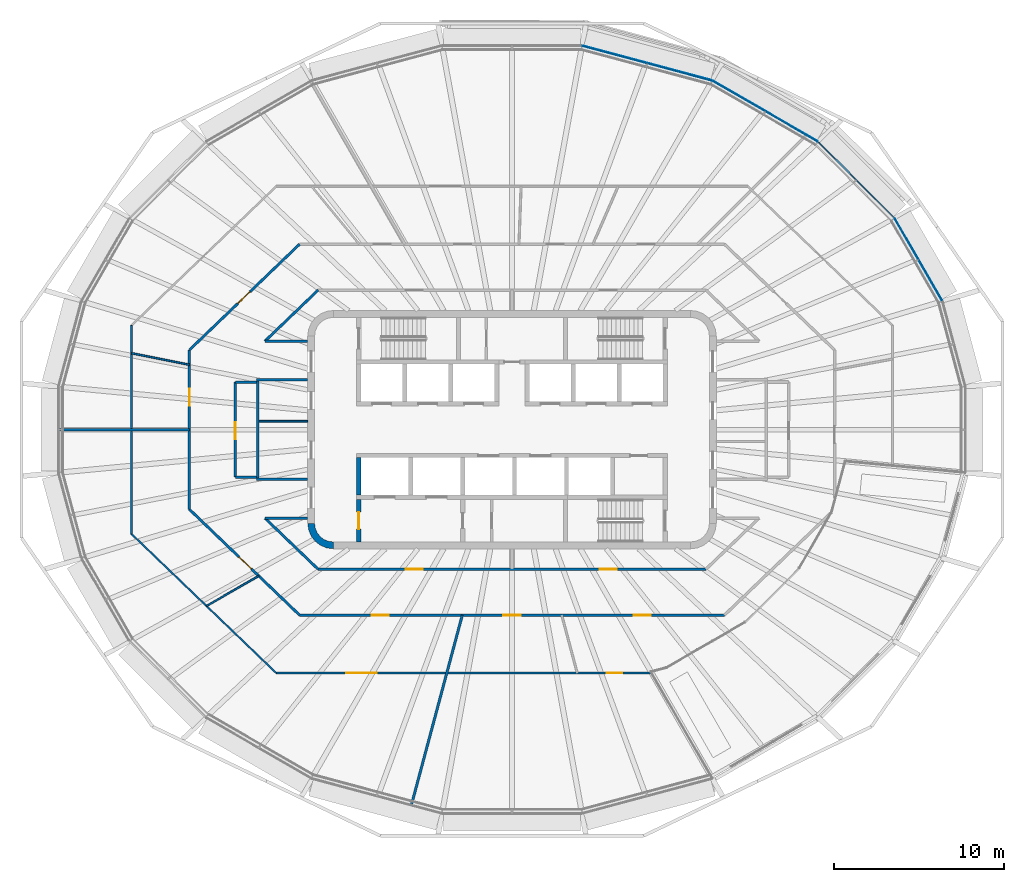
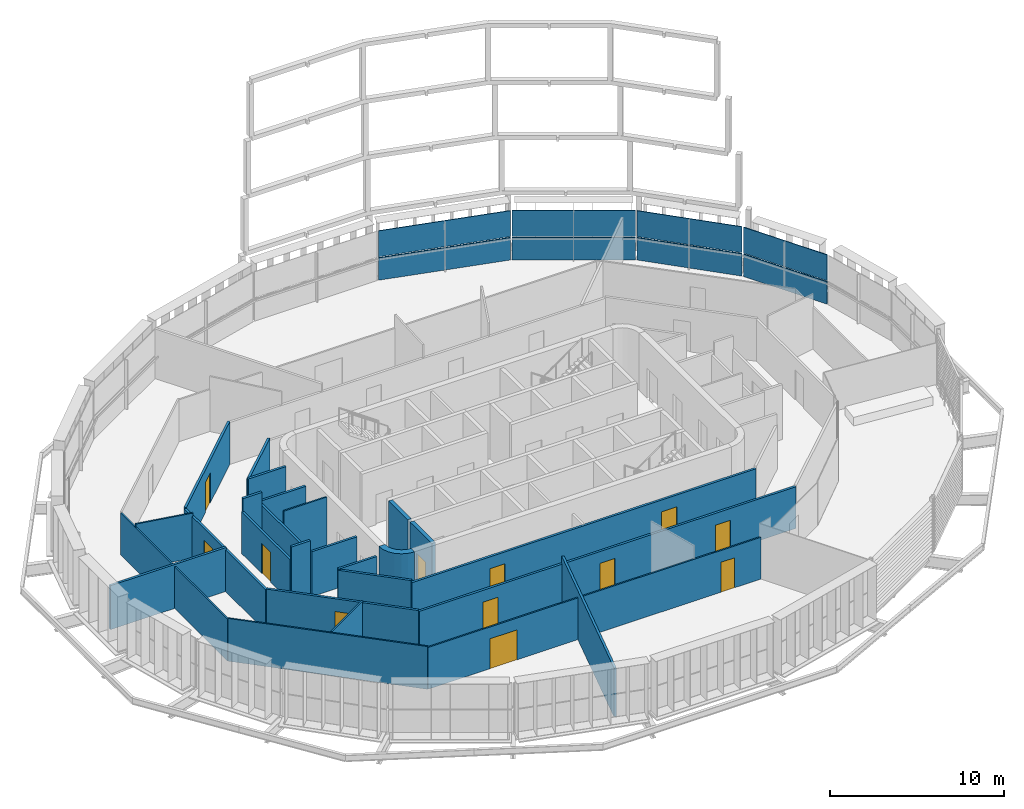
# One storey, part 10 of 21: 26 walls, 12 doors, 8 plates, 12 openings, 4 elements without a shape of their own.
"""IFC4 building model written with IfcOpenShell, lengths in metres."""

import ifcopenshell
import ifcopenshell.guid

model = None  # the IFC model being written
_history = None  # IfcOwnerHistory: only IFC2X3 demands one
_inside = {}  # id of a spatial element -> (the spatial element, [elements in it])
_under = {}  # id of a project, library or spatial element -> (it, [spatial elements below it])
_declared = {}  # id of a project -> (the project, [libraries it declares])
_typed = {}  # id of a type object -> (the type object, [elements of that type])
_made_of = {}  # id of a material, layer set ... -> (it, [elements and type objects made of it])


def new_model(schema):
    """Start an empty IFC model of exactly this schema.

    Asked for "IFC4X3", IfcOpenShell would pick the latest addendum, in which some entities
    have other attributes; the version numbers below select the first issue.
    IFC2X3 requires an IfcOwnerHistory on every rooted entity: one is made here for all.
    """
    global model, _history
    if schema == "IFC4X3":
        model = ifcopenshell.file(schema_version=(4, 3, 0, 0))
    else:
        model = ifcopenshell.file(schema=schema)
    _inside.clear()
    _under.clear()
    _declared.clear()
    _typed.clear()
    _made_of.clear()
    _history = None
    if model.schema == "IFC2X3":
        org = make("IfcOrganization", Name="unknown")
        user = make(
            "IfcPersonAndOrganization",
            ThePerson=make("IfcPerson", FamilyName="unknown"),
            TheOrganization=org,
        )
        app = make(
            "IfcApplication",
            ApplicationDeveloper=org,
            Version="unknown",
            ApplicationFullName="unknown",
            ApplicationIdentifier="unknown",
        )
        _history = make(
            "IfcOwnerHistory",
            OwningUser=user,
            OwningApplication=app,
            ChangeAction="ADDED",
            CreationDate=0,
        )
    return model


def make(cls, **values):
    """One entity of the class cls with the attributes given. An attribute that is None is left unset."""
    return model.create_entity(
        cls, **{name: value for name, value in values.items() if value is not None}
    )


def rooted(cls, **values):
    """An entity with a GlobalId (a new one), such as an element, a storey or a relation."""
    return make(cls, GlobalId=ifcopenshell.guid.new(), OwnerHistory=_history, **values)


def si_unit(unit_type, name, prefix=None):
    """IfcSIUnit, for example si_unit("LENGTHUNIT", "METRE", prefix="MILLI")."""
    return make("IfcSIUnit", UnitType=unit_type, Prefix=prefix, Name=name)


def assignment(units):
    """IfcUnitAssignment: the units of a project."""
    return None if units is None else make("IfcUnitAssignment", Units=units)


def point(xyz):
    """IfcCartesianPoint."""
    return None if xyz is None else make("IfcCartesianPoint", Coordinates=xyz)


def direction(xyz):
    """IfcDirection."""
    return None if xyz is None else make("IfcDirection", DirectionRatios=xyz)


def frame(location, z_axis=None, x_axis=None):
    """IfcAxis2Placement3D, a coordinate frame: its origin and axes. An axis left out is left unset."""
    return make(
        "IfcAxis2Placement3D",
        Location=point(location),
        Axis=direction(z_axis),
        RefDirection=direction(x_axis),
    )


def frame_2d(location, x_axis=None):
    """IfcAxis2Placement2D, a coordinate frame in the plane: its origin and x axis."""
    return make(
        "IfcAxis2Placement2D", Location=point(location), RefDirection=direction(x_axis)
    )


def origin():
    """The frame at (0, 0, 0) with its axes left unset."""
    return frame((0.0, 0.0, 0.0))


def place(relative_to, where):
    """IfcLocalPlacement: puts the frame where relative to a parent placement (None: the world)."""
    return make(
        "IfcLocalPlacement", PlacementRelTo=relative_to, RelativePlacement=where
    )


def context(
    kind, dimensions, precision=None, world=None, true_north=None, identifier=None
):
    """IfcGeometricRepresentationContext, for example the 3D "Model" context."""
    return make(
        "IfcGeometricRepresentationContext",
        ContextIdentifier=identifier,
        ContextType=kind,
        CoordinateSpaceDimension=dimensions,
        Precision=precision,
        WorldCoordinateSystem=world,
        TrueNorth=true_north,
    )


def subcontext(parent, identifier, kind, view, scale=None):
    """IfcGeometricRepresentationSubContext, for example "Body" below "Model"."""
    return make(
        "IfcGeometricRepresentationSubContext",
        ContextIdentifier=identifier,
        ContextType=kind,
        ParentContext=parent,
        TargetScale=scale,
        TargetView=view,
    )


def project(units=None, contexts=None):
    """IfcProject with its units and contexts."""
    return rooted(
        "IfcProject",
        Name="project",
        RepresentationContexts=contexts,
        UnitsInContext=assignment(units),
    )


def spatial(cls, under=None, at=None, **own):
    """A site, building, storey or space (cls), placed at a placement, below another one or the project."""
    s = rooted(cls, ObjectPlacement=at, **own)
    if under is not None:
        _under.setdefault(under.id(), (under, []))[1].append(s)
    return s


def polyline(points):
    """IfcPolyline through the points."""
    return make("IfcPolyline", Points=[point(p) for p in points])


def profile(cls, at=None, kind="AREA", **sizes):
    """A parametric profile (cls). Its sizes go by their IFC names, for example OverallWidth=200.0."""
    return make(cls, ProfileType=kind, Position=at, **sizes)


def rectangle(**sizes):
    """IfcRectangleProfileDef."""
    return profile("IfcRectangleProfileDef", **sizes)


def outline(outer, holes=None, kind="AREA"):
    """IfcArbitraryClosedProfileDef: a profile drawn as a closed curve; with holes, ...WithVoids."""
    if holes is None:
        return make("IfcArbitraryClosedProfileDef", ProfileType=kind, OuterCurve=outer)
    return make(
        "IfcArbitraryProfileDefWithVoids",
        ProfileType=kind,
        OuterCurve=outer,
        InnerCurves=holes,
    )


def extrude(swept, where, along, depth):
    """IfcExtrudedAreaSolid: the profile swept, set in the frame where, extruded along a direction by depth."""
    return make(
        "IfcExtrudedAreaSolid",
        SweptArea=swept,
        Position=where,
        ExtrudedDirection=direction(along),
        Depth=depth,
    )


def shape(context_of_items, identifier, shape_type, items):
    """IfcShapeRepresentation: the items that make up one representation, for example the "Body"."""
    return make(
        "IfcShapeRepresentation",
        ContextOfItems=context_of_items,
        RepresentationIdentifier=identifier,
        RepresentationType=shape_type,
        Items=items,
    )


def material(Name=None, Category=None):
    """IfcMaterial."""
    return make("IfcMaterial", Name=Name, Category=Category)


def layer(
    of_material, thickness, ventilated=None, Name=None, Category=None, Priority=None
):
    """IfcMaterialLayer: one layer of a wall or slab, of a material (None: an air gap)."""
    return make(
        "IfcMaterialLayer",
        Material=of_material,
        LayerThickness=thickness,
        IsVentilated=ventilated,
        Name=Name,
        Category=Category,
        Priority=Priority,
    )


def layer_set(layers, Name=None):
    """IfcMaterialLayerSet."""
    return make("IfcMaterialLayerSet", MaterialLayers=layers, LayerSetName=Name)


def made_of(thing, what):
    """Note that an element or type object is made of a material, layer set ...; save() writes the relation."""
    if what is not None:
        _made_of.setdefault(what.id(), (what, []))[1].append(thing)
    return thing


def type_object(cls, material=None, **own):
    """A type object (cls), such as IfcWallType, which elements share."""
    return made_of(rooted(cls, **own), material)


def element(
    cls,
    number,
    at=None,
    inside=None,
    cuts=None,
    type_object=None,
    material=None,
    context=None,
    identifier="Body",
    shape_type=None,
    held_by="IfcProductDefinitionShape",
    body=None,
    shapes=None,
    **own,
):
    """One element of the class cls, such as IfcWall. Its Tag is "e" and its number.

    at: its placement. inside: the storey or other place that contains it. cuts: it is an
    opening in that element (IfcRelVoidsElement). A single representation is given by context,
    identifier, shape_type and body (its items); several are given by shapes. held_by: the class
    of the entity that holds the representations. save() writes the other relations.
    """
    e = rooted(cls, Tag="e%d" % number, ObjectPlacement=at, **own)
    if body is not None:
        shapes = [shape(context, identifier, shape_type, body)]
    if shapes is not None:
        e.Representation = make(held_by, Representations=shapes)
    if inside is not None:
        _inside.setdefault(inside.id(), (inside, []))[1].append(e)
    if cuts is not None:
        rooted(
            "IfcRelVoidsElement", RelatingBuildingElement=cuts, RelatedOpeningElement=e
        )
    if type_object is not None:
        _typed.setdefault(type_object.id(), (type_object, []))[1].append(e)
    return made_of(e, material)


def fill(opening, filler):
    """IfcRelFillsElement: the door or window that sits in an opening."""
    return rooted(
        "IfcRelFillsElement",
        RelatingOpeningElement=opening,
        RelatedBuildingElement=filler,
    )


def aggregate(whole, parts):
    """IfcRelAggregates: a whole, such as a stair, and the parts it consists of."""
    return rooted("IfcRelAggregates", RelatingObject=whole, RelatedObjects=parts)


def save(model, path):
    """Write the relations noted so far, then the file.

    IfcRelAggregates (storeys below a building ...), IfcRelContainedInSpatialStructure (elements
    in a storey), IfcRelDefinesByType, IfcRelAssociatesMaterial and IfcRelDeclares: one each for
    every whole, place, type object, material and project.
    """
    for whole, parts in _under.values():
        aggregate(whole, parts)
    for where, things in _inside.values():
        rooted(
            "IfcRelContainedInSpatialStructure",
            RelatedElements=things,
            RelatingStructure=where,
        )
    for kind, things in _typed.values():
        rooted("IfcRelDefinesByType", RelatedObjects=things, RelatingType=kind)
    for what, things in _made_of.values():
        rooted("IfcRelAssociatesMaterial", RelatedObjects=things, RelatingMaterial=what)
    for by, libraries in _declared.values():
        rooted("IfcRelDeclares", RelatingContext=by, RelatedDefinitions=libraries)
    model.write(path)


model = new_model("IFC4")

# Units and contexts
model_context = context("Model", 3, precision=1e-05, world=origin(), true_north=direction((0.0, 1.0)))
body_context = subcontext(model_context, "Body", "Model", "MODEL_VIEW")
ifc_project = project(units=[si_unit("LENGTHUNIT", "METRE"), si_unit("AREAUNIT", "SQUARE_METRE"), si_unit("VOLUMEUNIT", "CUBIC_METRE"), si_unit("PLANEANGLEUNIT", "RADIAN"), si_unit("MASSUNIT", "GRAM", prefix="KILO")], contexts=[model_context])

# Site, building, storey
site_placement = place(None, origin())
site = spatial("IfcSite", under=ifc_project, at=site_placement, CompositionType="ELEMENT")
building_placement = place(site_placement, origin())
building = spatial("IfcBuilding", under=site, at=building_placement, Name="Sahrelin Media Tower", CompositionType="ELEMENT")
storey_placement = place(building_placement, frame((0.0, 0.0, 304.39990234375)))
storey = spatial("IfcBuildingStorey", under=building, at=storey_placement, Name="L67", CompositionType="ELEMENT", Elevation=304.39990234375)

# Curtain wall, plate
ifc_material_1 = material(Name="Champagne anodised aluminium 6063-T6", Category="aluminium")
ifc_layer_1 = layer(ifc_material_1, 0.14990234375)
ifc_layer_set_1 = layer_set([ifc_layer_1], Name="Tower ribbon curtain wall")
curtain_wall_type = type_object("IfcCurtainWallType", Name="Tower ribbon curtain wall", PredefinedType="NOTDEFINED", material=ifc_layer_set_1)
curtain_wall_1_placement = place(storey_placement, frame((23.88818359375, 9.992431640625, 0.0), z_axis=(0.0, 0.0, 1.0), x_axis=(1.0, 0.0, 0.0)))
curtain_wall_1 = element("IfcCurtainWall", 1, at=curtain_wall_1_placement, inside=storey, type_object=curtain_wall_type, Name="L67:CW:L67-02", PredefinedType="NOTDEFINED")
ifc_material_2 = material(Name="Clear low-iron glazing", Category="glass")
ifc_layer_2 = layer(ifc_material_2, 0.048095703125)
ifc_layer_set_2 = layer_set([ifc_layer_2], Name="Glazing panel 48 mm CW1C")
plate_type_1 = type_object("IfcPlateType", Name="Glazing panel 48 mm CW1C", PredefinedType="CURTAIN_PANEL", material=ifc_layer_set_2)
plate_1_placement = place(storey_placement, frame((25.289794921875, 7.6044921875, 1.630126953125), z_axis=(0.8660262826, 0.499998477844, 0.0), x_axis=(-0.499998477844, 0.8660262826, 0.0)))
plate_1 = element("IfcPlate", 2, at=plate_1_placement, type_object=plate_type_1, Name="L67:CWP2:L67-02", PredefinedType="CURTAIN_PANEL", context=body_context, shape_type="SweptSolid", body=[
    extrude(outline(polyline([(0.0, 0.0), (5.5380859375, 0.0), (5.5380859375, 1.818603515625), (0.0, 1.818603515625), (0.0, 0.0)])), origin(), (0.0, 0.0, -1.0), 0.048095703125),
])

curtain_wall_2_placement = place(storey_placement, frame((20.23779296875, 14.674560546875, 0.0), z_axis=(0.0, 0.0, 1.0), x_axis=(1.0, 0.0, 0.0)))
curtain_wall_2 = element("IfcCurtainWall", 3, at=curtain_wall_2_placement, inside=storey, type_object=curtain_wall_type, Name="L67:CW:L67-03", PredefinedType="NOTDEFINED")
plate_2_placement = place(storey_placement, frame((22.457275390625, 12.4833984375, 1.630126953125), z_axis=(0.707106781187, 0.707106781187, 0.0), x_axis=(-0.707106781187, 0.707106781187, 0.0)))
plate_2 = element("IfcPlate", 4, at=plate_2_placement, type_object=plate_type_1, Name="L67:CWP2:L67-03", PredefinedType="CURTAIN_PANEL", context=body_context, shape_type="SweptSolid", body=[
    extrude(outline(polyline([(0.0, 0.0), (6.238037109375, 0.0), (6.238037109375, 1.818603515625), (0.0, 1.818603515625), (0.0, 0.0)])), origin(), (0.0, 0.0, -1.0), 0.048095703125),
])

curtain_wall_3_placement = place(storey_placement, frame((14.885009765625, 18.712158203125, 0.0), z_axis=(0.0, 0.0, 1.0), x_axis=(1.0, 0.0, 0.0)))
curtain_wall_3 = element("IfcCurtainWall", 5, at=curtain_wall_3_placement, inside=storey, type_object=curtain_wall_type, Name="L67:CW:L67-04", PredefinedType="NOTDEFINED")
plate_3_placement = place(storey_placement, frame((17.963623046875, 16.957763671875, 1.630126953125), z_axis=(0.499988861911, 0.866031834267, 0.0), x_axis=(-0.866031834267, 0.499988861911, 0.0)))
plate_3 = element("IfcPlate", 6, at=plate_3_placement, type_object=plate_type_1, Name="L67:CWP2:L67-04", PredefinedType="CURTAIN_PANEL", context=body_context, shape_type="SweptSolid", body=[
    extrude(outline(polyline([(0.0, 0.0), (7.086669921875, 0.0), (7.086669921875, 1.818603515625), (0.0, 1.818603515625), (0.0, 0.0)])), origin(), (0.0, 0.0, -1.0), 0.048095703125),
])

curtain_wall_4_placement = place(storey_placement, frame((7.944091796875, 21.53466796875, 0.0), z_axis=(0.0, 0.0, 1.0), x_axis=(1.0, 0.0, 0.0)))
curtain_wall_4 = element("IfcCurtainWall", 7, at=curtain_wall_4_placement, inside=storey, type_object=curtain_wall_type, Name="L67:CW:L67-05", PredefinedType="NOTDEFINED")
plate_4_placement = place(storey_placement, frame((11.72998046875, 20.541015625, 1.630126953125), z_axis=(0.25882130345, 0.965925221164, 0.0), x_axis=(-0.965925221164, 0.25882130345, 0.0)))
plate_4 = element("IfcPlate", 8, at=plate_4_placement, type_object=plate_type_1, Name="L67:CWP2:L67-05", PredefinedType="CURTAIN_PANEL", context=body_context, shape_type="SweptSolid", body=[
    extrude(outline(polyline([(0.0, 0.0), (7.828369140625, 0.0), (7.828369140625, 1.818603515625), (0.0, 1.818603515625), (0.0, 0.0)])), origin(), (0.0, 0.0, -1.0), 0.048095703125),
])

# Plate
ifc_material_3 = material(Name="Insulated spandrel panel")
ifc_layer_3 = layer(ifc_material_3, 0.06005859375)
ifc_layer_set_3 = layer_set([ifc_layer_3], Name="Spandrel panel 60 mm CW1")
plate_type_2 = type_object("IfcPlateType", Name="Spandrel panel 60 mm CW1", PredefinedType="SHEET", material=ifc_layer_set_3)
plate_5_placement = place(storey_placement, frame((25.289794921875, 7.6044921875, 0.0), z_axis=(0.8660262826, 0.499998477844, 0.0), x_axis=(-0.499998477844, 0.8660262826, 0.0)))
plate_5 = element("IfcPlate", 9, at=plate_5_placement, type_object=plate_type_2, Name="L67:CWP1:L67-02", PredefinedType="SHEET", context=body_context, shape_type="SweptSolid", body=[
    extrude(outline(polyline([(0.0, 0.0), (5.5380859375, 0.0), (5.5380859375, 1.570068359375), (0.0, 1.570068359375), (0.0, 0.0)])), origin(), (0.0, 0.0, -1.0), 0.06005859375),
])

aggregate(curtain_wall_1, [plate_5, plate_1])

plate_6_placement = place(storey_placement, frame((22.457275390625, 12.4833984375, 0.0), z_axis=(0.707106781187, 0.707106781187, 0.0), x_axis=(-0.707106781187, 0.707106781187, 0.0)))
plate_6 = element("IfcPlate", 10, at=plate_6_placement, type_object=plate_type_2, Name="L67:CWP1:L67-03", PredefinedType="SHEET", context=body_context, shape_type="SweptSolid", body=[
    extrude(outline(polyline([(0.0, 0.0), (6.238037109375, 0.0), (6.238037109375, 1.570068359375), (0.0, 1.570068359375), (0.0, 0.0)])), origin(), (0.0, 0.0, -1.0), 0.06005859375),
])

aggregate(curtain_wall_2, [plate_6, plate_2])

plate_7_placement = place(storey_placement, frame((17.963623046875, 16.957763671875, 0.0), z_axis=(0.499988861911, 0.866031834267, 0.0), x_axis=(-0.866031834267, 0.499988861911, 0.0)))
plate_7 = element("IfcPlate", 11, at=plate_7_placement, type_object=plate_type_2, Name="L67:CWP1:L67-04", PredefinedType="SHEET", context=body_context, shape_type="SweptSolid", body=[
    extrude(outline(polyline([(0.0, 0.0), (7.086669921875, 0.0), (7.086669921875, 1.570068359375), (0.0, 1.570068359375), (0.0, 0.0)])), origin(), (0.0, 0.0, -1.0), 0.06005859375),
])

aggregate(curtain_wall_3, [plate_7, plate_3])

plate_8_placement = place(storey_placement, frame((11.72998046875, 20.541015625, 0.0), z_axis=(0.25882130345, 0.965925221164, 0.0), x_axis=(-0.965925221164, 0.25882130345, 0.0)))
plate_8 = element("IfcPlate", 12, at=plate_8_placement, type_object=plate_type_2, Name="L67:CWP1:L67-05", PredefinedType="SHEET", context=body_context, shape_type="SweptSolid", body=[
    extrude(outline(polyline([(0.0, 0.0), (7.828369140625, 0.0), (7.828369140625, 1.570068359375), (0.0, 1.570068359375), (0.0, 0.0)])), origin(), (0.0, 0.0, -1.0), 0.06005859375),
])

aggregate(curtain_wall_4, [plate_8, plate_4])

# Walls
ifc_material_4 = material(Name="Concrete C60/75", Category="concrete")
ifc_layer_4 = layer(ifc_material_4, 0.39990234375)
ifc_layer_set_4 = layer_set([ifc_layer_4], Name="Core wall 400")
wall_type_1 = type_object("IfcWallType", Name="Core wall 400", PredefinedType="SHEAR", material=ifc_layer_set_4)
wall_1_placement = place(storey_placement, origin())
element("IfcWall", 13, at=wall_1_placement, inside=storey, type_object=wall_type_1, Name="Core wall corner SW L67", PredefinedType="SHEAR", context=body_context, shape_type="SweptSolid", body=[
    extrude(outline(polyline([(-10.5, -7.0), (-10.5, -6.596435546875), (-10.78369140625, -6.55908203125), (-11.04833984375, -6.44970703125), (-11.275390625, -6.275390625), (-11.44970703125, -6.04833984375), (-11.55908203125, -5.78369140625), (-11.596435546875, -5.5), (-12.0, -5.5), (-11.948974609375, -5.88818359375), (-11.799072265625, -6.25), (-11.560791015625, -6.560791015625), (-11.25, -6.799072265625), (-10.88818359375, -6.948974609375), (-10.5, -7.0)])), origin(), (0.0, 0.0, 1.0), 4.0),
])
ifc_material_5 = material(Name="Fire-rated gypsum board partition")
ifc_layer_5 = layer(ifc_material_5, 0.10009765625)
ifc_layer_set_5 = layer_set([ifc_layer_5], Name="Fire-rated partition 100")
wall_type_2 = type_object("IfcWallType", Name="Fire-rated partition 100", PredefinedType="PARTITIONING", material=ifc_layer_set_5)
wall_2_placement = place(storey_placement, frame((-14.85009765625, 0.5, 0.0), z_axis=(0.0, 0.0, 1.0), x_axis=(1.0, 0.0, 0.0)))
element("IfcWall", 14, at=wall_2_placement, inside=storey, type_object=wall_type_2, Name="Core room partition", PredefinedType="PARTITIONING", context=body_context, shape_type="SweptSolid", body=[
    extrude(rectangle(XDim=2.85009765625, YDim=0.10009765625, at=frame_2d((1.425048828125, 0.0))), origin(), (0.0, 0.0, 1.0), 3.85009765625),
])
ifc_layer_6 = layer(ifc_material_5, 0.14990234375)
ifc_layer_set_6 = layer_set([ifc_layer_6], Name="Fire-rated partition 150")
wall_type_3 = type_object("IfcWallType", Name="Fire-rated partition 150", PredefinedType="PARTITIONING", material=ifc_layer_set_6)
wall_3_placement = place(storey_placement, frame((-14.925048828125, -2.85009765625, 0.0), z_axis=(0.0, 0.0, 1.0), x_axis=(0.0, 1.0, 0.0)))
element("IfcWall", 15, at=wall_3_placement, inside=storey, type_object=wall_type_3, Name="Core room fire partition", PredefinedType="PARTITIONING", context=body_context, shape_type="SweptSolid", body=[
    extrude(rectangle(XDim=5.7001953125, YDim=0.14990234375, at=frame_2d((2.85009765625, 0.0))), origin(), (0.0, 0.0, 1.0), 2.927001953125),
])
for number, where, z_axis, x_axis, name in (
    (16, (-15.0, 2.925048828125, 0.0), (0.0, 0.0, 1.0), (1.0, 0.0, 0.0), "Core room fire partition"),
    (17, (-15.0, -2.925048828125, 0.0), (0.0, 0.0, 1.0), (1.0, 0.0, 0.0), "Core room fire partition"),
):
    element("IfcWall", number, at=place(storey_placement, frame(where, z_axis=z_axis, x_axis=x_axis)), inside=storey, type_object=wall_type_3, Name=name, PredefinedType="PARTITIONING", context=body_context, shape_type="SweptSolid", body=[
        extrude(rectangle(XDim=3.0, YDim=0.14990234375, at=frame_2d((1.5, 0.0))), origin(), (0.0, 0.0, 1.0), 3.152099609375),
    ])

# Wall, opening, door
wall_4_placement = place(storey_placement, frame((-18.949951171875, -4.68310546875, 0.0), z_axis=(0.0, 0.0, 1.0), x_axis=(0.72127259513, -0.692651314526, 0.0)))
wall_4 = element("IfcWall", 18, at=wall_4_placement, inside=storey, type_object=wall_type_3, Name="Wall", PredefinedType="PARTITIONING", context=body_context, shape_type="SweptSolid", body=[
    extrude(rectangle(XDim=8.9736328125, YDim=0.14990234375, at=frame_2d((4.48681640625, 0.0))), origin(), (0.0, 0.0, 1.0), 2.995361328125),
])
opening_1_placement = place(wall_4_placement, frame((4.039306640625, 0.0, 0.0)))
opening_1 = element("IfcOpeningElement", 19, at=opening_1_placement, cuts=wall_4, Name="Opening L67-D32", PredefinedType="OPENING", context=body_context, shape_type="SweptSolid", body=[
    extrude(rectangle(XDim=1.0, YDim=2.10009765625, at=frame_2d((0.5, 1.050048828125))), frame((0.0, 0.074951171875, 0.0), z_axis=(0.0, -1.0, 0.0), x_axis=(1.0, 0.0, 0.0)), (0.0, 0.0, 1.0), 0.14990234375),
])
ifc_material_6 = material(Name="Steel fire door leaf", Category="steel")
door_type_1 = type_object("IfcDoorType", Name="Fire door 1000 x 2100 EI 60", OperationType="NOTDEFINED", PredefinedType="DOOR", material=ifc_material_6)
door_1_placement = place(opening_1_placement, origin())
door_1 = element("IfcDoor", 20, at=door_1_placement, inside=storey, type_object=door_type_1, Name="Fire door", OperationType="SINGLE_SWING_RIGHT", OverallHeight=2.10009765625, OverallWidth=1.0, PredefinedType="DOOR", context=body_context, shape_type="SweptSolid", body=[
    extrude(rectangle(XDim=1.0, YDim=2.10009765625, at=frame_2d((0.5, 1.050048828125))), frame((0.0, 0.02490234375, 0.0), z_axis=(0.0, -1.0, 0.0), x_axis=(1.0, 0.0, 0.0)), (0.0, 0.0, 1.0), 0.050048828125),
])
fill(opening_1, door_1)

# Wall
wall_5_placement = place(storey_placement, frame((-14.513916015625, -5.199951171875, 0.0), z_axis=(0.0, 0.0, 1.0), x_axis=(0.721228427004, -0.692697304803, 0.0)))
element("IfcWall", 21, at=wall_5_placement, inside=storey, type_object=wall_type_3, Name="Wall", PredefinedType="PARTITIONING", context=body_context, shape_type="SweptSolid", body=[
    extrude(rectangle(XDim=4.329833984375, YDim=0.14990234375, at=frame_2d((2.1650390625, 0.0))), origin(), (0.0, 0.0, 1.0), 3.076171875),
])

# Wall, openings, doors
wall_6_placement = place(storey_placement, frame((-12.47802734375, -10.89892578125, 0.0), z_axis=(0.0, 0.0, 1.0), x_axis=(1.0, 0.0, 0.0)))
wall_6 = element("IfcWall", 22, at=wall_6_placement, inside=storey, type_object=wall_type_3, Name="Wall", PredefinedType="PARTITIONING", context=body_context, shape_type="SweptSolid", body=[
    extrude(rectangle(XDim=24.9560546875, YDim=0.14990234375, at=frame_2d((12.47802734375, 0.0))), origin(), (0.0, 0.0, 1.0), 2.927001953125),
])
opening_2_placement = place(wall_6_placement, frame((4.228515625, 0.0, 0.0)))
opening_2 = element("IfcOpeningElement", 23, at=opening_2_placement, cuts=wall_6, Name="Opening L67-D33", PredefinedType="OPENING", context=body_context, shape_type="SweptSolid", body=[
    extrude(rectangle(XDim=1.0, YDim=2.10009765625, at=frame_2d((0.5, 1.050048828125))), frame((0.0, 0.074951171875, 0.0), z_axis=(0.0, -1.0, 0.0), x_axis=(1.0, 0.0, 0.0)), (0.0, 0.0, 1.0), 0.14990234375),
])
opening_3_placement = place(wall_6_placement, frame((11.978515625, 0.0, 0.0)))
opening_3 = element("IfcOpeningElement", 24, at=opening_3_placement, cuts=wall_6, Name="Opening L67-D35", PredefinedType="OPENING", context=body_context, shape_type="SweptSolid", body=[
    extrude(rectangle(XDim=1.0, YDim=2.10009765625, at=frame_2d((0.5, 1.050048828125))), frame((0.0, 0.074951171875, 0.0), z_axis=(0.0, -1.0, 0.0), x_axis=(1.0, 0.0, 0.0)), (0.0, 0.0, 1.0), 0.14990234375),
])
opening_4_placement = place(wall_6_placement, frame((19.627197265625, 0.0, 0.0)))
opening_4 = element("IfcOpeningElement", 25, at=opening_4_placement, cuts=wall_6, Name="Opening L67-D36", PredefinedType="OPENING", context=body_context, shape_type="SweptSolid", body=[
    extrude(rectangle(XDim=1.0, YDim=2.10009765625, at=frame_2d((0.5, 1.050048828125))), frame((0.0, 0.074951171875, 0.0), z_axis=(0.0, -1.0, 0.0), x_axis=(1.0, 0.0, 0.0)), (0.0, 0.0, 1.0), 0.14990234375),
])
door_2_placement = place(opening_2_placement, origin())
door_2 = element("IfcDoor", 26, at=door_2_placement, inside=storey, type_object=door_type_1, Name="Fire door", OperationType="SINGLE_SWING_RIGHT", OverallHeight=2.10009765625, OverallWidth=1.0, PredefinedType="DOOR", context=body_context, shape_type="SweptSolid", body=[
    extrude(rectangle(XDim=1.0, YDim=2.10009765625, at=frame_2d((0.5, 1.050048828125))), frame((0.0, 0.02490234375, 0.0), z_axis=(0.0, -1.0, 0.0), x_axis=(1.0, 0.0, 0.0)), (0.0, 0.0, 1.0), 0.050048828125),
])
fill(opening_2, door_2)
door_3_placement = place(opening_3_placement, origin())
door_3 = element("IfcDoor", 27, at=door_3_placement, inside=storey, type_object=door_type_1, Name="Fire door", OperationType="SINGLE_SWING_LEFT", OverallHeight=2.10009765625, OverallWidth=1.0, PredefinedType="DOOR", context=body_context, shape_type="SweptSolid", body=[
    extrude(rectangle(XDim=1.0, YDim=2.10009765625, at=frame_2d((0.5, 1.050048828125))), frame((0.0, 0.02490234375, 0.0), z_axis=(0.0, -1.0, 0.0), x_axis=(1.0, 0.0, 0.0)), (0.0, 0.0, 1.0), 0.050048828125),
])
fill(opening_3, door_3)
door_4_placement = place(opening_4_placement, origin())
door_4 = element("IfcDoor", 28, at=door_4_placement, inside=storey, type_object=door_type_1, Name="Fire door", OperationType="SINGLE_SWING_LEFT", OverallHeight=2.10009765625, OverallWidth=1.0, PredefinedType="DOOR", context=body_context, shape_type="SweptSolid", body=[
    extrude(rectangle(XDim=1.0, YDim=2.10009765625, at=frame_2d((0.5, 1.050048828125))), frame((0.0, 0.02490234375, 0.0), z_axis=(0.0, -1.0, 0.0), x_axis=(1.0, 0.0, 0.0)), (0.0, 0.0, 1.0), 0.050048828125),
])
fill(opening_4, door_4)

wall_7_placement = place(storey_placement, frame((-11.39111328125, -8.198974609375, 0.0), z_axis=(0.0, 0.0, 1.0), x_axis=(1.0, 0.0, 0.0)))
wall_7 = element("IfcWall", 29, at=wall_7_placement, inside=storey, type_object=wall_type_3, Name="Wall", PredefinedType="PARTITIONING", context=body_context, shape_type="SweptSolid", body=[
    extrude(rectangle(XDim=22.7822265625, YDim=0.14990234375, at=frame_2d((11.39111328125, 0.0))), origin(), (0.0, 0.0, 1.0), 2.927001953125),
])
opening_5_placement = place(wall_7_placement, frame((5.14501953125, 0.0, 0.0)))
opening_5 = element("IfcOpeningElement", 30, at=opening_5_placement, cuts=wall_7, Name="Opening L67-D18", PredefinedType="OPENING", context=body_context, shape_type="SweptSolid", body=[
    extrude(rectangle(XDim=1.0, YDim=2.10009765625, at=frame_2d((0.5, 1.050048828125))), frame((0.0, 0.074951171875, 0.0), z_axis=(0.0, -1.0, 0.0), x_axis=(1.0, 0.0, 0.0)), (0.0, 0.0, 1.0), 0.14990234375),
])
opening_6_placement = place(wall_7_placement, frame((16.535888671875, 0.0, 0.0)))
opening_6 = element("IfcOpeningElement", 31, at=opening_6_placement, cuts=wall_7, Name="Opening L67-D19", PredefinedType="OPENING", context=body_context, shape_type="SweptSolid", body=[
    extrude(rectangle(XDim=1.0, YDim=2.10009765625, at=frame_2d((0.5, 1.050048828125))), frame((0.0, 0.074951171875, 0.0), z_axis=(0.0, -1.0, 0.0), x_axis=(1.0, 0.0, 0.0)), (0.0, 0.0, 1.0), 0.14990234375),
])
door_5_placement = place(opening_5_placement, origin())
door_5 = element("IfcDoor", 32, at=door_5_placement, inside=storey, type_object=door_type_1, Name="Fire door", OperationType="SINGLE_SWING_LEFT", OverallHeight=2.10009765625, OverallWidth=1.0, PredefinedType="DOOR", context=body_context, shape_type="SweptSolid", body=[
    extrude(rectangle(XDim=1.0, YDim=2.10009765625, at=frame_2d((0.5, 1.050048828125))), frame((0.0, 0.02490234375, 0.0), z_axis=(0.0, -1.0, 0.0), x_axis=(1.0, 0.0, 0.0)), (0.0, 0.0, 1.0), 0.050048828125),
])
fill(opening_5, door_5)
door_6_placement = place(opening_6_placement, origin())
door_6 = element("IfcDoor", 33, at=door_6_placement, inside=storey, type_object=door_type_1, Name="Fire door", OperationType="SINGLE_SWING_RIGHT", OverallHeight=2.10009765625, OverallWidth=1.0, PredefinedType="DOOR", context=body_context, shape_type="SweptSolid", body=[
    extrude(rectangle(XDim=1.0, YDim=2.10009765625, at=frame_2d((0.5, 1.050048828125))), frame((0.0, 0.02490234375, 0.0), z_axis=(0.0, -1.0, 0.0), x_axis=(1.0, 0.0, 0.0)), (0.0, 0.0, 1.0), 0.050048828125),
])
fill(opening_6, door_6)

# Walls
wall_8_placement = place(storey_placement, frame((-14.513916015625, -5.199951171875, 0.0), z_axis=(0.0, 0.0, 1.0), x_axis=(1.0, 0.0, 0.0)))
element("IfcWall", 34, at=wall_8_placement, inside=storey, type_object=wall_type_3, Name="Wall", PredefinedType="PARTITIONING", context=body_context, shape_type="SweptSolid", body=[
    extrude(rectangle(XDim=2.513916015625, YDim=0.14990234375, at=frame_2d((1.2568359375, 0.0))), origin(), (0.0, 0.0, 1.0), 3.152099609375),
])
wall_9_placement = place(storey_placement, frame((-16.25, -2.7900390625, 0.0), z_axis=(0.0, 0.0, 1.0), x_axis=(1.0, 0.0, 0.0)))
element("IfcWall", 35, at=wall_9_placement, inside=storey, type_object=wall_type_3, Name="Wall", PredefinedType="PARTITIONING", context=body_context, shape_type="SweptSolid", body=[
    extrude(rectangle(XDim=1.25, YDim=0.14990234375, at=frame_2d((0.625, 0.0))), origin(), (0.0, 0.0, 1.0), 3.85009765625),
])
wall_10_placement = place(storey_placement, frame((-26.64404296875, 0.0, 0.0), z_axis=(0.0, 0.0, 1.0), x_axis=(1.0, 0.0, 0.0)))
element("IfcWall", 36, at=wall_10_placement, inside=storey, type_object=wall_type_3, Name="Wall", PredefinedType="PARTITIONING", context=body_context, shape_type="SweptSolid", body=[
    extrude(rectangle(XDim=7.694091796875, YDim=0.14990234375, at=frame_2d((3.84716796875, 0.0))), origin(), (0.0, 0.0, 1.0), 3.076171875),
])
wall_11_placement = place(storey_placement, frame((-16.25, 2.7900390625, 0.0), z_axis=(0.0, 0.0, 1.0), x_axis=(1.0, 0.0, 0.0)))
element("IfcWall", 37, at=wall_11_placement, inside=storey, type_object=wall_type_3, Name="Wall", PredefinedType="PARTITIONING", context=body_context, shape_type="SweptSolid", body=[
    extrude(rectangle(XDim=1.25, YDim=0.14990234375, at=frame_2d((0.625, 0.0))), origin(), (0.0, 0.0, 1.0), 3.85009765625),
])
wall_12_placement = place(storey_placement, frame((-14.513916015625, 5.199951171875, 0.0), z_axis=(0.0, 0.0, 1.0), x_axis=(1.0, 0.0, 0.0)))
element("IfcWall", 38, at=wall_12_placement, inside=storey, type_object=wall_type_3, Name="Wall", PredefinedType="PARTITIONING", context=body_context, shape_type="SweptSolid", body=[
    extrude(rectangle(XDim=2.513916015625, YDim=0.14990234375, at=frame_2d((1.2568359375, 0.0))), origin(), (0.0, 0.0, 1.0), 3.152099609375),
])
wall_13_placement = place(storey_placement, frame((-14.513916015625, 5.199951171875, 0.0), z_axis=(0.0, 0.0, 1.0), x_axis=(0.721228427004, 0.692697304803, 0.0)))
element("IfcWall", 39, at=wall_13_placement, inside=storey, type_object=wall_type_3, Name="Wall", PredefinedType="PARTITIONING", context=body_context, shape_type="SweptSolid", body=[
    extrude(rectangle(XDim=4.329833984375, YDim=0.14990234375, at=frame_2d((2.1650390625, 0.0))), origin(), (0.0, 0.0, 1.0), 3.076171875),
])

# Wall, opening, door
wall_14_placement = place(storey_placement, frame((-18.949951171875, 4.68310546875, 0.0), z_axis=(0.0, 0.0, 1.0), x_axis=(0.721259541977, 0.692664906797, 0.0)))
wall_14 = element("IfcWall", 40, at=wall_14_placement, inside=storey, type_object=wall_type_3, Name="Wall", PredefinedType="PARTITIONING", context=body_context, shape_type="SweptSolid", body=[
    extrude(rectangle(XDim=8.973388671875, YDim=0.14990234375, at=frame_2d((4.48681640625, 0.0))), origin(), (0.0, 0.0, 1.0), 2.995361328125),
])
opening_7_placement = place(wall_14_placement, frame((3.93701171875, 0.0, 0.0)))
opening_7 = element("IfcOpeningElement", 41, at=opening_7_placement, cuts=wall_14, Name="Opening L67-D29", PredefinedType="OPENING", context=body_context, shape_type="SweptSolid", body=[
    extrude(rectangle(XDim=1.0, YDim=2.10009765625, at=frame_2d((0.5, 1.050048828125))), frame((0.0, 0.074951171875, 0.0), z_axis=(0.0, -1.0, 0.0), x_axis=(1.0, 0.0, 0.0)), (0.0, 0.0, 1.0), 0.14990234375),
])
door_7_placement = place(opening_7_placement, origin())
door_7 = element("IfcDoor", 42, at=door_7_placement, inside=storey, type_object=door_type_1, Name="Fire door", OperationType="SINGLE_SWING_LEFT", OverallHeight=2.10009765625, OverallWidth=1.0, PredefinedType="DOOR", context=body_context, shape_type="SweptSolid", body=[
    extrude(rectangle(XDim=1.0, YDim=2.10009765625, at=frame_2d((0.5, 1.050048828125))), frame((0.0, 0.02490234375, 0.0), z_axis=(0.0, -1.0, 0.0), x_axis=(1.0, 0.0, 0.0)), (0.0, 0.0, 1.0), 0.050048828125),
])
fill(opening_7, door_7)

# Wall
wall_15_placement = place(storey_placement, frame((-5.916015625, -22.077880859375, 0.0), z_axis=(0.0, 0.0, 1.0), x_axis=(0.258855937104, 0.965915940352, 0.0)))
element("IfcWall", 43, at=wall_15_placement, inside=storey, type_object=wall_type_3, Name="Wall", PredefinedType="PARTITIONING", context=body_context, shape_type="SweptSolid", body=[
    extrude(rectangle(XDim=11.573486328125, YDim=0.14990234375, at=frame_2d((5.78662109375, 0.0))), origin(), (0.0, 0.0, 1.0), 3.423583984375),
])

# Wall, opening, door
wall_16_placement = place(storey_placement, frame((-16.25, -2.7900390625, 0.0), z_axis=(0.0, 0.0, 1.0), x_axis=(0.0, 1.0, 0.0)))
wall_16 = element("IfcWall", 44, at=wall_16_placement, inside=storey, type_object=wall_type_3, Name="Wall", PredefinedType="PARTITIONING", context=body_context, shape_type="SweptSolid", body=[
    extrude(rectangle(XDim=5.580078125, YDim=0.14990234375, at=frame_2d((2.7900390625, 0.0))), origin(), (0.0, 0.0, 1.0), 2.927001953125),
])
opening_8_placement = place(wall_16_placement, frame((2.23876953125, 0.0, 0.0)))
opening_8 = element("IfcOpeningElement", 45, at=opening_8_placement, cuts=wall_16, Name="Opening L67-D23", PredefinedType="OPENING", context=body_context, shape_type="SweptSolid", body=[
    extrude(rectangle(XDim=1.0, YDim=2.10009765625, at=frame_2d((0.5, 1.050048828125))), frame((0.0, 0.074951171875, 0.0), z_axis=(0.0, -1.0, 0.0), x_axis=(1.0, 0.0, 0.0)), (0.0, 0.0, 1.0), 0.14990234375),
])
door_8_placement = place(opening_8_placement, origin())
door_8 = element("IfcDoor", 46, at=door_8_placement, inside=storey, type_object=door_type_1, Name="Fire door", OperationType="SINGLE_SWING_LEFT", OverallHeight=2.10009765625, OverallWidth=1.0, PredefinedType="DOOR", context=body_context, shape_type="SweptSolid", body=[
    extrude(rectangle(XDim=1.0, YDim=2.10009765625, at=frame_2d((0.5, 1.050048828125))), frame((0.0, 0.02490234375, 0.0), z_axis=(0.0, -1.0, 0.0), x_axis=(1.0, 0.0, 0.0)), (0.0, 0.0, 1.0), 0.050048828125),
])
fill(opening_8, door_8)

wall_17_placement = place(storey_placement, frame((-18.949951171875, -4.68310546875, 0.0), z_axis=(0.0, 0.0, 1.0), x_axis=(0.0, 1.0, 0.0)))
wall_17 = element("IfcWall", 47, at=wall_17_placement, inside=storey, type_object=wall_type_3, Name="Wall", PredefinedType="PARTITIONING", context=body_context, shape_type="SweptSolid", body=[
    extrude(rectangle(XDim=9.3662109375, YDim=0.14990234375, at=frame_2d((4.68310546875, 0.0))), origin(), (0.0, 0.0, 1.0), 2.927001953125),
])
opening_9_placement = place(wall_17_placement, frame((6.087890625, 0.0, 0.0)))
opening_9 = element("IfcOpeningElement", 48, at=opening_9_placement, cuts=wall_17, Name="Opening L67-D30", PredefinedType="OPENING", context=body_context, shape_type="SweptSolid", body=[
    extrude(rectangle(XDim=1.0, YDim=2.10009765625, at=frame_2d((0.5, 1.050048828125))), frame((0.0, 0.074951171875, 0.0), z_axis=(0.0, -1.0, 0.0), x_axis=(1.0, 0.0, 0.0)), (0.0, 0.0, 1.0), 0.14990234375),
])
door_9_placement = place(opening_9_placement, origin())
door_9 = element("IfcDoor", 49, at=door_9_placement, inside=storey, type_object=door_type_1, Name="Fire door", OperationType="SINGLE_SWING_RIGHT", OverallHeight=2.10009765625, OverallWidth=1.0, PredefinedType="DOOR", context=body_context, shape_type="SweptSolid", body=[
    extrude(rectangle(XDim=1.0, YDim=2.10009765625, at=frame_2d((0.5, 1.050048828125))), frame((0.0, 0.02490234375, 0.0), z_axis=(0.0, -1.0, 0.0), x_axis=(1.0, 0.0, 0.0)), (0.0, 0.0, 1.0), 0.050048828125),
])
fill(opening_9, door_9)

ifc_layer_7 = layer(ifc_material_5, 0.25)
ifc_layer_set_7 = layer_set([ifc_layer_7], Name="Firefighting lobby wall 250")
wall_type_4 = type_object("IfcWallType", Name="Firefighting lobby wall 250", PredefinedType="PARTITIONING", material=ifc_layer_set_7)
wall_18_placement = place(storey_placement, frame((-9.0, -6.60009765625, 0.0), z_axis=(0.0, 0.0, 1.0), x_axis=(0.0, 1.0, 0.0)))
wall_18 = element("IfcWall", 50, at=wall_18_placement, inside=storey, type_object=wall_type_4, Name="Core wall", PredefinedType="PARTITIONING", context=body_context, shape_type="SweptSolid", body=[
    extrude(rectangle(XDim=2.5, YDim=0.25, at=frame_2d((1.25, 0.0))), origin(), (0.0, 0.0, 1.0), 3.85009765625),
])
opening_10_placement = place(wall_18_placement, frame((0.75, 0.0, 0.0)))
opening_10 = element("IfcOpeningElement", 51, at=opening_10_placement, cuts=wall_18, Name="Opening L67-D04", PredefinedType="OPENING", context=body_context, shape_type="SweptSolid", body=[
    extrude(rectangle(XDim=1.0, YDim=2.10009765625, at=frame_2d((0.5, 1.050048828125))), frame((0.0, 0.125, 0.0), z_axis=(0.0, -1.0, 0.0), x_axis=(1.0, 0.0, 0.0)), (0.0, 0.0, 1.0), 0.25),
])
door_type_2 = type_object("IfcDoorType", Name="Firefighting lobby door 1000 x 2100 EI 120", OperationType="NOTDEFINED", PredefinedType="DOOR", material=ifc_material_6)
door_10_placement = place(opening_10_placement, origin())
door_10 = element("IfcDoor", 52, at=door_10_placement, inside=storey, type_object=door_type_2, Name="Firefighting lobby door", OperationType="SINGLE_SWING_LEFT", OverallHeight=2.10009765625, OverallWidth=1.0, PredefinedType="DOOR", context=body_context, shape_type="SweptSolid", body=[
    extrude(rectangle(XDim=1.0, YDim=2.10009765625, at=frame_2d((0.5, 1.050048828125))), frame((0.0, 0.02490234375, 0.0), z_axis=(0.0, -1.0, 0.0), x_axis=(1.0, 0.0, 0.0)), (0.0, 0.0, 1.0), 0.050048828125),
])
fill(opening_10, door_10)

# Walls
ifc_layer_8 = layer(ifc_material_4, 0.25)
ifc_layer_set_8 = layer_set([ifc_layer_8], Name="Lift shaft wall 250")
wall_type_5 = type_object("IfcWallType", Name="Lift shaft wall 250", PredefinedType="SOLIDWALL", material=ifc_layer_set_8)
wall_19_placement = place(storey_placement, frame((-9.0, -3.85009765625, 0.0), z_axis=(0.0, 0.0, 1.0), x_axis=(0.0, 1.0, 0.0)))
element("IfcWall", 53, at=wall_19_placement, inside=storey, type_object=wall_type_5, Name="Lift shaft wall", PredefinedType="SOLIDWALL", context=body_context, shape_type="SweptSolid", body=[
    extrude(rectangle(XDim=2.2001953125, YDim=0.25, at=frame_2d((1.10009765625, 0.0))), origin(), (0.0, 0.0, 1.0), 3.85009765625),
])
ifc_material_7 = material(Name="Gypsum board partition")
ifc_layer_9 = layer(ifc_material_7, 0.10009765625)
ifc_layer_set_9 = layer_set([ifc_layer_9], Name="Partition 100")
wall_type_6 = type_object("IfcWallType", Name="Partition 100", PredefinedType="PARTITIONING", material=ifc_layer_set_9)
wall_20_placement = place(storey_placement, frame((-22.349853515625, -6.1318359375, 0.0), z_axis=(0.0, 0.0, 1.0), x_axis=(0.72117874289, -0.692749031615, 0.0)))
element("IfcWall", 54, at=wall_20_placement, inside=storey, type_object=wall_type_6, Name="Wall", PredefinedType="PARTITIONING", context=body_context, shape_type="SweptSolid", body=[
    extrude(rectangle(XDim=11.790771484375, YDim=0.10009765625, at=frame_2d((5.8955078125, 0.0))), origin(), (0.0, 0.0, 1.0), 2.995361328125),
])
wall_21_placement = place(storey_placement, frame((-22.35009765625, 4.493896484375, 0.0), z_axis=(0.0, 0.0, 1.0), x_axis=(0.980368926978, -0.197171922486, 0.0)))
element("IfcWall", 55, at=wall_21_placement, inside=storey, type_object=wall_type_6, Name="Wall", PredefinedType="PARTITIONING", context=body_context, shape_type="SweptSolid", body=[
    extrude(rectangle(XDim=3.46826171875, YDim=0.10009765625, at=frame_2d((1.734130859375, 0.0))), origin(), (0.0, 0.0, 1.0), 3.152099609375),
])

# Wall, openings, doors
wall_22_placement = place(storey_placement, frame((-13.845947265625, -14.299072265625, 0.0), z_axis=(0.0, 0.0, 1.0), x_axis=(1.0, 0.0, 0.0)))
wall_22 = element("IfcWall", 56, at=wall_22_placement, inside=storey, type_object=wall_type_6, Name="Wall", PredefinedType="PARTITIONING", context=body_context, shape_type="SweptSolid", body=[
    extrude(rectangle(XDim=22.054931640625, YDim=0.10009765625, at=frame_2d((11.02734375, 0.0))), origin(), (0.0, 0.0, 1.0), 2.927001953125),
])
opening_11_placement = place(wall_22_placement, frame((4.107421875, 0.0, 0.0)))
opening_11 = element("IfcOpeningElement", 57, at=opening_11_placement, cuts=wall_22, Name="Opening L67-D34", PredefinedType="OPENING", context=body_context, shape_type="SweptSolid", body=[
    extrude(rectangle(XDim=1.800048828125, YDim=2.10009765625, at=frame_2d((0.89990234375, 1.050048828125))), frame((0.0, 0.050048828125, 0.0), z_axis=(0.0, -1.0, 0.0), x_axis=(1.0, 0.0, 0.0)), (0.0, 0.0, 1.0), 0.10009765625),
])
opening_12_placement = place(wall_22_placement, frame((19.41650390625, 0.0, 0.0)))
opening_12 = element("IfcOpeningElement", 58, at=opening_12_placement, cuts=wall_22, Name="Opening L67-D37", PredefinedType="OPENING", context=body_context, shape_type="SweptSolid", body=[
    extrude(rectangle(XDim=0.89990234375, YDim=2.10009765625, at=frame_2d((0.449951171875, 1.050048828125))), frame((0.0, 0.050048828125, 0.0), z_axis=(0.0, -1.0, 0.0), x_axis=(1.0, 0.0, 0.0)), (0.0, 0.0, 1.0), 0.10009765625),
])
ifc_material_8 = material(Name="Timber door leaf", Category="wood")
door_type_3 = type_object("IfcDoorType", Name="Double door 1800 x 2100", OperationType="DOUBLE_DOOR_SINGLE_SWING", PredefinedType="DOOR", material=ifc_material_8)
door_11_placement = place(opening_11_placement, origin())
door_11 = element("IfcDoor", 59, at=door_11_placement, inside=storey, type_object=door_type_3, Name="Double door", OperationType="DOUBLE_DOOR_SINGLE_SWING", OverallHeight=2.10009765625, OverallWidth=1.800048828125, PredefinedType="DOOR", context=body_context, shape_type="SweptSolid", body=[
    extrude(rectangle(XDim=1.800048828125, YDim=2.10009765625, at=frame_2d((0.89990234375, 1.050048828125))), frame((0.0, 0.02490234375, 0.0), z_axis=(0.0, -1.0, 0.0), x_axis=(1.0, 0.0, 0.0)), (0.0, 0.0, 1.0), 0.050048828125),
])
fill(opening_11, door_11)
door_type_4 = type_object("IfcDoorType", Name="Single door 900 x 2100", OperationType="NOTDEFINED", PredefinedType="DOOR", material=ifc_material_8)
door_12_placement = place(opening_12_placement, origin())
door_12 = element("IfcDoor", 60, at=door_12_placement, inside=storey, type_object=door_type_4, Name="Single door", OperationType="SINGLE_SWING_LEFT", OverallHeight=2.10009765625, OverallWidth=0.89990234375, PredefinedType="DOOR", context=body_context, shape_type="SweptSolid", body=[
    extrude(rectangle(XDim=0.89990234375, YDim=2.10009765625, at=frame_2d((0.449951171875, 1.050048828125))), frame((0.0, 0.02490234375, 0.0), z_axis=(0.0, -1.0, 0.0), x_axis=(1.0, 0.0, 0.0)), (0.0, 0.0, 1.0), 0.050048828125),
])
fill(opening_12, door_12)

# Walls
wall_23_placement = place(storey_placement, frame((-17.946044921875, -10.361083984375, 0.0), z_axis=(0.0, 0.0, 1.0), x_axis=(0.866086794771, 0.499893652614, 0.0)))
element("IfcWall", 61, at=wall_23_placement, inside=storey, type_object=wall_type_6, Name="Wall", PredefinedType="PARTITIONING", context=body_context, shape_type="SweptSolid", body=[
    extrude(rectangle(XDim=3.538818359375, YDim=0.10009765625, at=frame_2d((1.76953125, 0.0))), origin(), (0.0, 0.0, 1.0), 3.076171875),
])
wall_24_placement = place(storey_placement, frame((-22.35009765625, -6.132080078125, 0.0), z_axis=(0.0, 0.0, 1.0), x_axis=(0.0, 1.0, 0.0)))
element("IfcWall", 62, at=wall_24_placement, inside=storey, type_object=wall_type_6, Name="Wall", PredefinedType="PARTITIONING", context=body_context, shape_type="SweptSolid", body=[
    extrude(rectangle(XDim=12.26416015625, YDim=0.10009765625, at=frame_2d((6.132080078125, 0.0))), origin(), (0.0, 0.0, 1.0), 2.927001953125),
])

save(model, "model.ifc")
